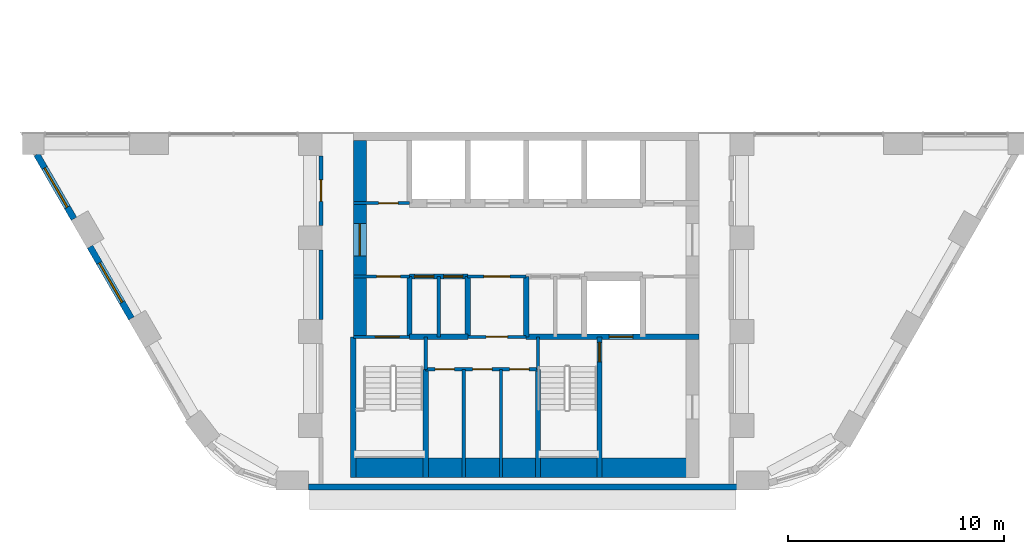
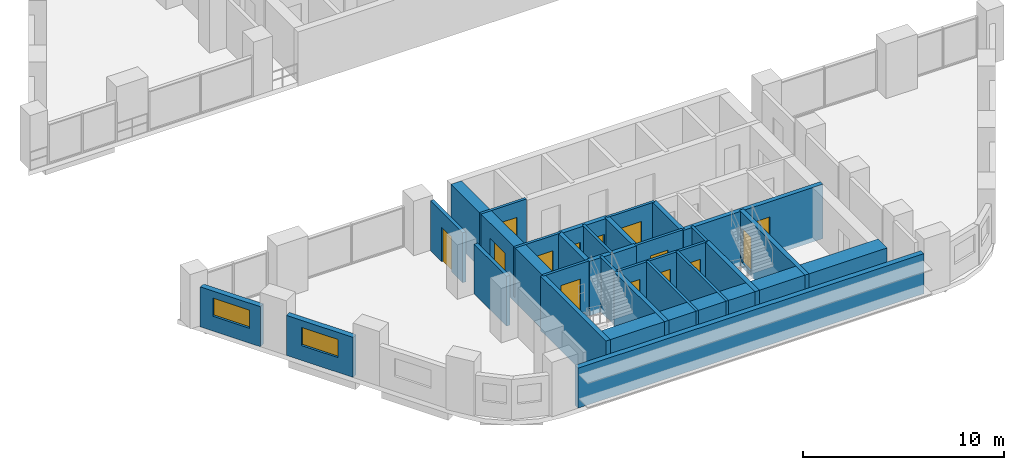
# One storey, part 5 of 11: 28 walls, 14 doors, 2 windows, 16 openings.
"""IFC4 building model written with IfcOpenShell, lengths in metres."""

from ifc_helpers import new_model, si_unit, direction, frame, frame_2d, origin, place, context, subcontext, project, spatial, rectangle, extrude, material, layer, layer_set, type_object, element, fill, save


model = new_model("IFC4")

# Units and contexts
model_context = context("Model", 3, precision=1e-05, world=origin(), true_north=direction((0.0, 1.0)))
body_context = subcontext(model_context, "Body", "Model", "MODEL_VIEW")
ifc_project = project(units=[si_unit("LENGTHUNIT", "METRE"), si_unit("AREAUNIT", "SQUARE_METRE"), si_unit("VOLUMEUNIT", "CUBIC_METRE"), si_unit("PLANEANGLEUNIT", "RADIAN"), si_unit("MASSUNIT", "GRAM", prefix="KILO")], contexts=[model_context])

# Site, building, storey
site_placement = place(None, origin())
site = spatial("IfcSite", under=ifc_project, at=site_placement, CompositionType="ELEMENT")
building_placement = place(site_placement, origin())
building = spatial("IfcBuilding", under=site, at=building_placement, Name="Nakaniwa Court", CompositionType="ELEMENT")
storey_placement = place(building_placement, frame((0.0, 0.0, 31.5)))
storey = spatial("IfcBuildingStorey", under=building, at=storey_placement, Name="L07", CompositionType="ELEMENT", Elevation=31.5)

# Wall
ifc_material_1 = material(Name="Acoustic double stud partition")
ifc_layer_1 = layer(ifc_material_1, 0.199951171875)
ifc_layer_set_1 = layer_set([ifc_layer_1], Name="Acoustic double stud partition")
wall_type_1 = type_object("IfcWallType", Name="Acoustic double stud partition 200", PredefinedType="PARTITIONING", material=ifc_layer_set_1)
wall_1_placement = place(storey_placement, frame((70.5, 63.9169921875, 0.0), z_axis=(0.0, 0.0, 1.0), x_axis=(0.0, 1.0, 0.0)))
element("IfcWall", 1, at=wall_1_placement, inside=storey, type_object=wall_type_1, Name="Partition PW-083", PredefinedType="PARTITIONING", context=body_context, shape_type="SweptSolid", body=[
    extrude(rectangle(XDim=3.216064453125, YDim=0.199951171875, at=frame_2d((1.60791015625, 0.0))), origin(), (0.0, 0.0, 1.0), 3.02490234375),
])

# Wall, opening, door
wall_2_placement = place(storey_placement, frame((70.5, 68.26708984375, 0.0), z_axis=(0.0, 0.0, 1.0), x_axis=(0.0, 1.0, 0.0)))
wall_2 = element("IfcWall", 2, at=wall_2_placement, inside=storey, type_object=wall_type_1, Name="Partition PW-084", PredefinedType="PARTITIONING", context=body_context, shape_type="SweptSolid", body=[
    extrude(rectangle(XDim=3.2158203125, YDim=0.199951171875, at=frame_2d((1.60791015625, 0.0))), origin(), (0.0, 0.0, 1.0), 3.02490234375),
])
opening_1_placement = place(wall_2_placement, frame((1.10791015625, 0.0, 0.0)))
opening_1 = element("IfcOpeningElement", 3, at=opening_1_placement, cuts=wall_2, Name="Opening D-02-03", PredefinedType="OPENING", context=body_context, shape_type="SweptSolid", body=[
    extrude(rectangle(XDim=1.0, YDim=2.10009765625, at=frame_2d((0.5, 1.050048828125))), frame((0.0, 0.10986328125, 0.0), z_axis=(0.0, -1.0, 0.0), x_axis=(1.0, 0.0, 0.0)), (0.0, 0.0, 1.0), 0.219970703125),
])
ifc_material_2 = material(Name="Solid core timber door set, black veneer", Category="wood")
door_type_1 = type_object("IfcDoorType", Name="Internal door 1000", OperationType="NOTDEFINED", PredefinedType="DOOR", material=ifc_material_2)
door_1_placement = place(opening_1_placement, origin())
door_1 = element("IfcDoor", 4, at=door_1_placement, inside=storey, type_object=door_type_1, Name="Door D-02-03 L07-033", OperationType="SINGLE_SWING_RIGHT", OverallHeight=2.10009765625, OverallWidth=1.0, PredefinedType="DOOR", context=body_context, shape_type="SweptSolid", body=[
    extrude(rectangle(XDim=1.0, YDim=2.10009765625, at=frame_2d((0.5, 1.050048828125))), frame((0.0, 0.02490234375, 0.0), z_axis=(0.0, -1.0, 0.0), x_axis=(1.0, 0.0, 0.0)), (0.0, 0.0, 1.0), 0.050048828125),
])
fill(opening_1, door_1)

# Wall, opening, window
ifc_material_3 = material(Name="Charcoal ceramic cladding")
ifc_layer_2 = layer(ifc_material_3, 0.02, Name="Ceramic cladding")
ifc_material_4 = material(Name="Ventilated air cavity")
ifc_layer_3 = layer(ifc_material_4, 0.04, ventilated=True, Name="Ventilated cavity")
ifc_material_5 = material(Name="Mineral wool insulation")
ifc_layer_4 = layer(ifc_material_5, 0.1, Name="Insulation")
ifc_material_6 = material(Name="Cement bonded sheathing board")
ifc_layer_5 = layer(ifc_material_6, 0.012, Name="Sheathing")
ifc_material_7 = material(Name="Cold-formed galvanised stud frame with mineral wool infill")
ifc_layer_6 = layer(ifc_material_7, 0.1, Name="Stud frame")
ifc_material_8 = material(Name="Fire-rated gypsum plasterboard lining")
ifc_layer_7 = layer(ifc_material_8, 0.028, Name="Lining")
ifc_layer_set_2 = layer_set([ifc_layer_2, ifc_layer_3, ifc_layer_4, ifc_layer_5, ifc_layer_6, ifc_layer_7], Name="Charcoal ceramic faced external wall system")
wall_type_2 = type_object("IfcWallType", Name="Black ceramic faced external wall 300", PredefinedType="SOLIDWALL", material=ifc_layer_set_2)
wall_3_placement = place(storey_placement, frame((57.3369140625, 71.553466796875, 0.0), z_axis=(0.0, 0.0, 1.0), x_axis=(0.500035437112, -0.866004943191, 0.0)))
wall_3 = element("IfcWall", 5, at=wall_3_placement, inside=storey, type_object=wall_type_2, Name="L07 external wall 06", PredefinedType="SOLIDWALL", context=body_context, shape_type="SweptSolid", body=[
    extrude(rectangle(XDim=3.443603515625, YDim=0.300048828125, at=frame_2d((1.7216796875, 0.0))), origin(), (0.0, 0.0, 1.0), 2.425048828125),
])
opening_2_placement = place(wall_3_placement, frame((0.722412109375, 0.0, 0.89990234375)))
opening_2 = element("IfcOpeningElement", 6, at=opening_2_placement, cuts=wall_3, Name="Opening W7.03", PredefinedType="OPENING", context=body_context, shape_type="SweptSolid", body=[
    extrude(rectangle(XDim=2.10009765625, YDim=1.10009765625, at=frame_2d((1.050048828125, 0.550048828125))), frame((0.0, 0.159912109375, 0.0), z_axis=(0.0, -1.0, 0.0), x_axis=(1.0, 0.0, 0.0)), (0.0, 0.0, 1.0), 0.320068359375),
])
ifc_material_9 = material(Name="Black anodised aluminium frame with dark low-E laminated double glazing", Category="aluminium")
window_type = type_object("IfcWindowType", Name="Dark glass window 2100x1100 sill 900", PartitioningType="SINGLE_PANEL", PredefinedType="WINDOW", material=ifc_material_9)
window_1_placement = place(opening_2_placement, origin())
window_1 = element("IfcWindow", 7, at=window_1_placement, inside=storey, type_object=window_type, Name="L07 habitable room window 06-0", OverallHeight=1.10009765625, OverallWidth=2.10009765625, PartitioningType="SINGLE_PANEL", PredefinedType="WINDOW", context=body_context, shape_type="SweptSolid", body=[
    extrude(rectangle(XDim=2.10009765625, YDim=1.10009765625, at=frame_2d((1.050048828125, 0.550048828125))), frame((0.0, 0.030029296875, 0.0), z_axis=(0.0, -1.0, 0.0), x_axis=(1.0, 0.0, 0.0)), (0.0, 0.0, 1.0), 0.06005859375),
])
fill(opening_2, window_1)

wall_4_placement = place(storey_placement, frame((59.8046875, 67.279296875, 0.0), z_axis=(0.0, 0.0, 1.0), x_axis=(0.500001735503, -0.866024401789, 0.0)))
wall_4 = element("IfcWall", 8, at=wall_4_placement, inside=storey, type_object=wall_type_2, Name="L07 external wall 07", PredefinedType="SOLIDWALL", context=body_context, shape_type="SweptSolid", body=[
    extrude(rectangle(XDim=3.833984375, YDim=0.300048828125, at=frame_2d((1.9169921875, 0.0))), origin(), (0.0, 0.0, 1.0), 2.425048828125),
])
opening_3_placement = place(wall_4_placement, frame((0.866943359375, 0.0, 0.89990234375)))
opening_3 = element("IfcOpeningElement", 9, at=opening_3_placement, cuts=wall_4, Name="Opening W7.04", PredefinedType="OPENING", context=body_context, shape_type="SweptSolid", body=[
    extrude(rectangle(XDim=2.10009765625, YDim=1.10009765625, at=frame_2d((1.050048828125, 0.550048828125))), frame((0.0, 0.159912109375, 0.0), z_axis=(0.0, -1.0, 0.0), x_axis=(1.0, 0.0, 0.0)), (0.0, 0.0, 1.0), 0.320068359375),
])
window_2_placement = place(opening_3_placement, origin())
window_2 = element("IfcWindow", 10, at=window_2_placement, inside=storey, type_object=window_type, Name="L07 habitable room window 07-0", OverallHeight=1.10009765625, OverallWidth=2.10009765625, PartitioningType="SINGLE_PANEL", PredefinedType="WINDOW", context=body_context, shape_type="SweptSolid", body=[
    extrude(rectangle(XDim=2.10009765625, YDim=1.10009765625, at=frame_2d((1.050048828125, 0.550048828125))), frame((0.0, 0.030029296875, 0.0), z_axis=(0.0, -1.0, 0.0), x_axis=(1.0, 0.0, 0.0)), (0.0, 0.0, 1.0), 0.06005859375),
])
fill(opening_3, window_2)

# Wall
wall_5_placement = place(storey_placement, frame((69.92138671875, 56.14990234375, 0.0), z_axis=(0.0, 0.0, 1.0), x_axis=(1.0, 0.0, 0.0)))
element("IfcWall", 11, at=wall_5_placement, inside=storey, type_object=wall_type_2, Name="L07 external wall 11", PredefinedType="SOLIDWALL", context=body_context, shape_type="SweptSolid", body=[
    extrude(rectangle(XDim=19.839599609375, YDim=0.300048828125, at=frame_2d((9.919921875, 0.0))), origin(), (0.0, 0.0, 1.0), 2.425048828125),
])

# Wall, opening, door
ifc_material_10 = material(Name="Blockwork partition", Category="masonry")
ifc_layer_8 = layer(ifc_material_10, 0.14990234375)
ifc_layer_set_3 = layer_set([ifc_layer_8], Name="Blockwork partition")
wall_type_3 = type_object("IfcWallType", Name="Blockwork partition 150", PredefinedType="PARTITIONING", material=ifc_layer_set_3)
wall_6_placement = place(storey_placement, frame((72.0, 69.300048828125, 0.0), z_axis=(0.0, 0.0, 1.0), x_axis=(1.0, 0.0, 0.0)))
wall_6 = element("IfcWall", 12, at=wall_6_placement, inside=storey, type_object=wall_type_3, Name="Partition PW-039", PredefinedType="PARTITIONING", context=body_context, shape_type="SweptSolid", body=[
    extrude(rectangle(XDim=2.60009765625, YDim=0.14990234375, at=frame_2d((1.300048828125, 0.0))), origin(), (0.0, 0.0, 1.0), 3.02490234375),
])
opening_4_placement = place(wall_6_placement, frame((1.175048828125, 0.0, 0.0)))
opening_4 = element("IfcOpeningElement", 13, at=opening_4_placement, cuts=wall_6, Name="Opening D-05-11", PredefinedType="OPENING", context=body_context, shape_type="SweptSolid", body=[
    extrude(rectangle(XDim=0.89990234375, YDim=2.10009765625, at=frame_2d((0.449951171875, 1.050048828125))), frame((0.0, 0.0849609375, 0.0), z_axis=(0.0, -1.0, 0.0), x_axis=(1.0, 0.0, 0.0)), (0.0, 0.0, 1.0), 0.169921875),
])
ifc_material_11 = material(Name="Fire rated steel door set", Category="steel")
door_type_2 = type_object("IfcDoorType", Name="Service room door 900", OperationType="NOTDEFINED", PredefinedType="DOOR", material=ifc_material_11)
door_2_placement = place(opening_4_placement, origin())
door_2 = element("IfcDoor", 14, at=door_2_placement, inside=storey, type_object=door_type_2, Name="Door D-05-11 L07-016", OperationType="SINGLE_SWING_LEFT", OverallHeight=2.10009765625, OverallWidth=0.89990234375, PredefinedType="DOOR", context=body_context, shape_type="SweptSolid", body=[
    extrude(rectangle(XDim=0.89990234375, YDim=2.10009765625, at=frame_2d((0.449951171875, 1.050048828125))), frame((0.0, 0.02490234375, 0.0), z_axis=(0.0, -1.0, 0.0), x_axis=(1.0, 0.0, 0.0)), (0.0, 0.0, 1.0), 0.050048828125),
])
fill(opening_4, door_2)

wall_7_placement = place(storey_placement, frame((74.60302734375, 65.89990234375, 0.0), z_axis=(0.0, 0.0, 1.0), x_axis=(-1.0, 0.0, 0.0)))
wall_7 = element("IfcWall", 15, at=wall_7_placement, inside=storey, type_object=wall_type_3, Name="Partition PW-052", PredefinedType="PARTITIONING", context=body_context, shape_type="SweptSolid", body=[
    extrude(rectangle(XDim=2.60302734375, YDim=0.14990234375, at=frame_2d((1.301513671875, 0.0))), origin(), (0.0, 0.0, 1.0), 3.02490234375),
])
opening_5_placement = place(wall_7_placement, frame((0.427978515625, 0.0, 0.0)))
opening_5 = element("IfcOpeningElement", 16, at=opening_5_placement, cuts=wall_7, Name="Opening D-08-02", PredefinedType="OPENING", context=body_context, shape_type="SweptSolid", body=[
    extrude(rectangle(XDim=1.10009765625, YDim=2.10009765625, at=frame_2d((0.550048828125, 1.050048828125))), frame((0.0, 0.0849609375, 0.0), z_axis=(0.0, -1.0, 0.0), x_axis=(1.0, 0.0, 0.0)), (0.0, 0.0, 1.0), 0.169921875),
])
door_type_3 = type_object("IfcDoorType", Name="Stair lobby door 1100", OperationType="NOTDEFINED", PredefinedType="DOOR", material=ifc_material_11)
door_3_placement = place(opening_5_placement, origin())
door_3 = element("IfcDoor", 17, at=door_3_placement, inside=storey, type_object=door_type_3, Name="Door D-08-02 L07-018", OperationType="SINGLE_SWING_LEFT", OverallHeight=2.10009765625, OverallWidth=1.10009765625, PredefinedType="DOOR", context=body_context, shape_type="SweptSolid", body=[
    extrude(rectangle(XDim=1.10009765625, YDim=2.10009765625, at=frame_2d((0.550048828125, 1.050048828125))), frame((0.0, 0.02490234375, 0.0), z_axis=(0.0, -1.0, 0.0), x_axis=(1.0, 0.0, 0.0)), (0.0, 0.0, 1.0), 0.050048828125),
])
fill(opening_5, door_3)

wall_8_placement = place(storey_placement, frame((80.0029296875, 65.89990234375, 0.0), z_axis=(0.0, 0.0, 1.0), x_axis=(-1.0, 0.0, 0.0)))
wall_8 = element("IfcWall", 18, at=wall_8_placement, inside=storey, type_object=wall_type_3, Name="Partition PW-053", PredefinedType="PARTITIONING", context=body_context, shape_type="SweptSolid", body=[
    extrude(rectangle(XDim=2.705810546875, YDim=0.14990234375, at=frame_2d((1.35302734375, 0.0))), origin(), (0.0, 0.0, 1.0), 3.02490234375),
])
opening_6_placement = place(wall_8_placement, frame((0.7529296875, 0.0, 0.0)))
opening_6 = element("IfcOpeningElement", 19, at=opening_6_placement, cuts=wall_8, Name="Opening D-06-02", PredefinedType="OPENING", context=body_context, shape_type="SweptSolid", body=[
    extrude(rectangle(XDim=1.199951171875, YDim=2.10009765625, at=frame_2d((0.60009765625, 1.050048828125))), frame((0.0, 0.0849609375, 0.0), z_axis=(0.0, -1.0, 0.0), x_axis=(1.0, 0.0, 0.0)), (0.0, 0.0, 1.0), 0.169921875),
])
ifc_material_12 = material(Name="Fire rated steel double door set", Category="steel")
door_type_4 = type_object("IfcDoorType", Name="Service passage double door 1200", OperationType="NOTDEFINED", PredefinedType="DOOR", material=ifc_material_12)
door_4_placement = place(opening_6_placement, origin())
door_4 = element("IfcDoor", 20, at=door_4_placement, inside=storey, type_object=door_type_4, Name="Door D-06-02 L07-021", OperationType="DOUBLE_DOOR_SINGLE_SWING", OverallHeight=2.10009765625, OverallWidth=1.199951171875, PredefinedType="DOOR", context=body_context, shape_type="SweptSolid", body=[
    extrude(rectangle(XDim=1.199951171875, YDim=2.10009765625, at=frame_2d((0.60009765625, 1.050048828125))), frame((0.0, 0.02490234375, 0.0), z_axis=(0.0, -1.0, 0.0), x_axis=(1.0, 0.0, 0.0)), (0.0, 0.0, 1.0), 0.050048828125),
])
fill(opening_6, door_4)

# Wall
wall_9_placement = place(storey_placement, frame((75.949951171875, 63.10009765625, 0.0), z_axis=(0.0, 0.0, 1.0), x_axis=(0.0, 1.0, 0.0)))
element("IfcWall", 21, at=wall_9_placement, inside=storey, type_object=wall_type_3, Name="Partition PW-059", PredefinedType="PARTITIONING", context=body_context, shape_type="SweptSolid", body=[
    extrude(rectangle(XDim=2.7998046875, YDim=0.14990234375, at=frame_2d((1.39990234375, 0.0))), origin(), (0.0, 0.0, 1.0), 3.02490234375),
])

# Wall, opening, door
wall_10_placement = place(storey_placement, frame((80.0, 63.10009765625, 0.0), z_axis=(0.0, 0.0, 1.0), x_axis=(-1.0, 0.0, 0.0)))
wall_10 = element("IfcWall", 22, at=wall_10_placement, inside=storey, type_object=wall_type_3, Name="Partition PW-062", PredefinedType="PARTITIONING", context=body_context, shape_type="SweptSolid", body=[
    extrude(rectangle(XDim=2.699951171875, YDim=0.14990234375, at=frame_2d((1.35009765625, 0.0))), origin(), (0.0, 0.0, 1.0), 3.02490234375),
])
opening_7_placement = place(wall_10_placement, frame((0.85009765625, 0.0, 0.0)))
opening_7 = element("IfcOpeningElement", 23, at=opening_7_placement, cuts=wall_10, Name="Opening D-23-02", PredefinedType="OPENING", context=body_context, shape_type="SweptSolid", body=[
    extrude(rectangle(XDim=1.0, YDim=2.10009765625, at=frame_2d((0.5, 1.050048828125))), frame((0.0, 0.0849609375, 0.0), z_axis=(0.0, -1.0, 0.0), x_axis=(1.0, 0.0, 0.0)), (0.0, 0.0, 1.0), 0.169921875),
])
door_type_5 = type_object("IfcDoorType", Name="Service room door 1000", OperationType="NOTDEFINED", PredefinedType="DOOR", material=ifc_material_11)
door_5_placement = place(opening_7_placement, origin())
door_5 = element("IfcDoor", 24, at=door_5_placement, inside=storey, type_object=door_type_5, Name="Door D-23-02 L07-025", OperationType="SINGLE_SWING_RIGHT", OverallHeight=2.10009765625, OverallWidth=1.0, PredefinedType="DOOR", context=body_context, shape_type="SweptSolid", body=[
    extrude(rectangle(XDim=1.0, YDim=2.10009765625, at=frame_2d((0.5, 1.050048828125))), frame((0.0, 0.02490234375, 0.0), z_axis=(0.0, -1.0, 0.0), x_axis=(1.0, 0.0, 0.0)), (0.0, 0.0, 1.0), 0.050048828125),
])
fill(opening_7, door_5)

# Wall, openings, doors
wall_11_placement = place(storey_placement, frame((80.550048828125, 61.60009765625, 0.0), z_axis=(0.0, 0.0, 1.0), x_axis=(-1.0, 0.0, 0.0)))
wall_11 = element("IfcWall", 25, at=wall_11_placement, inside=storey, type_object=wall_type_3, Name="Partition PW-070", PredefinedType="PARTITIONING", context=body_context, shape_type="SweptSolid", body=[
    extrude(rectangle(XDim=5.199951171875, YDim=0.14990234375, at=frame_2d((2.60009765625, 0.0))), origin(), (0.0, 0.0, 1.0), 3.02490234375),
])
opening_8_placement = place(wall_11_placement, frame((3.865966796875, 0.0, 0.0)))
opening_8 = element("IfcOpeningElement", 26, at=opening_8_placement, cuts=wall_11, Name="Opening D-05-18", PredefinedType="OPENING", context=body_context, shape_type="SweptSolid", body=[
    extrude(rectangle(XDim=0.89990234375, YDim=2.10009765625, at=frame_2d((0.449951171875, 1.050048828125))), frame((0.0, 0.0849609375, 0.0), z_axis=(0.0, -1.0, 0.0), x_axis=(1.0, 0.0, 0.0)), (0.0, 0.0, 1.0), 0.169921875),
])
opening_9_placement = place(wall_11_placement, frame((2.1240234375, 0.0, 0.0)))
opening_9 = element("IfcOpeningElement", 27, at=opening_9_placement, cuts=wall_11, Name="Opening D-05-19", PredefinedType="OPENING", context=body_context, shape_type="SweptSolid", body=[
    extrude(rectangle(XDim=0.89990234375, YDim=2.10009765625, at=frame_2d((0.449951171875, 1.050048828125))), frame((0.0, 0.0849609375, 0.0), z_axis=(0.0, -1.0, 0.0), x_axis=(1.0, 0.0, 0.0)), (0.0, 0.0, 1.0), 0.169921875),
])
opening_10_placement = place(wall_11_placement, frame((0.407958984375, 0.0, 0.0)))
opening_10 = element("IfcOpeningElement", 28, at=opening_10_placement, cuts=wall_11, Name="Opening D-05-20", PredefinedType="OPENING", context=body_context, shape_type="SweptSolid", body=[
    extrude(rectangle(XDim=0.89990234375, YDim=2.10009765625, at=frame_2d((0.449951171875, 1.050048828125))), frame((0.0, 0.0849609375, 0.0), z_axis=(0.0, -1.0, 0.0), x_axis=(1.0, 0.0, 0.0)), (0.0, 0.0, 1.0), 0.169921875),
])
door_6_placement = place(opening_8_placement, origin())
door_6 = element("IfcDoor", 29, at=door_6_placement, inside=storey, type_object=door_type_2, Name="Door D-05-18 L07-026", OperationType="SINGLE_SWING_LEFT", OverallHeight=2.10009765625, OverallWidth=0.89990234375, PredefinedType="DOOR", context=body_context, shape_type="SweptSolid", body=[
    extrude(rectangle(XDim=0.89990234375, YDim=2.10009765625, at=frame_2d((0.449951171875, 1.050048828125))), frame((0.0, 0.02490234375, 0.0), z_axis=(0.0, -1.0, 0.0), x_axis=(1.0, 0.0, 0.0)), (0.0, 0.0, 1.0), 0.050048828125),
])
fill(opening_8, door_6)
door_7_placement = place(opening_9_placement, origin())
door_7 = element("IfcDoor", 30, at=door_7_placement, inside=storey, type_object=door_type_2, Name="Door D-05-19 L07-027", OperationType="SINGLE_SWING_RIGHT", OverallHeight=2.10009765625, OverallWidth=0.89990234375, PredefinedType="DOOR", context=body_context, shape_type="SweptSolid", body=[
    extrude(rectangle(XDim=0.89990234375, YDim=2.10009765625, at=frame_2d((0.449951171875, 1.050048828125))), frame((0.0, 0.02490234375, 0.0), z_axis=(0.0, -1.0, 0.0), x_axis=(1.0, 0.0, 0.0)), (0.0, 0.0, 1.0), 0.050048828125),
])
fill(opening_9, door_7)
door_8_placement = place(opening_10_placement, origin())
door_8 = element("IfcDoor", 31, at=door_8_placement, inside=storey, type_object=door_type_2, Name="Door D-05-20 L07-028", OperationType="SINGLE_SWING_LEFT", OverallHeight=2.10009765625, OverallWidth=0.89990234375, PredefinedType="DOOR", context=body_context, shape_type="SweptSolid", body=[
    extrude(rectangle(XDim=0.89990234375, YDim=2.10009765625, at=frame_2d((0.449951171875, 1.050048828125))), frame((0.0, 0.02490234375, 0.0), z_axis=(0.0, -1.0, 0.0), x_axis=(1.0, 0.0, 0.0)), (0.0, 0.0, 1.0), 0.050048828125),
])
fill(opening_10, door_8)

# Walls
for number, where, z_axis, x_axis, name in (
    (32, (77.117919921875, 56.60009765625, 0.0), (0.0, 0.0, 1.0), (0.0, 1.0, 0.0), "Partition PW-071"),
    (33, (78.833984375, 56.60009765625, 0.0), (0.0, 0.0, 1.0), (0.0, 1.0, 0.0), "Partition PW-072"),
):
    element("IfcWall", number, at=place(storey_placement, frame(where, z_axis=z_axis, x_axis=x_axis)), inside=storey, type_object=wall_type_3, Name=name, PredefinedType="PARTITIONING", context=body_context, shape_type="SweptSolid", body=[
        extrude(rectangle(XDim=5.0, YDim=0.14990234375, at=frame_2d((2.5, 0.0))), origin(), (0.0, 0.0, 1.0), 3.02490234375),
    ])

# Wall, opening, door
ifc_material_13 = material(Name="Concrete C100/115", Category="concrete")
ifc_layer_9 = layer(ifc_material_13, 0.60009765625)
ifc_layer_set_4 = layer_set([ifc_layer_9], Name="Concrete C100/115")
wall_type_4 = type_object("IfcWallType", Name="Concrete core side wall 600 C100", PredefinedType="SHEAR", material=ifc_layer_set_4)
wall_12_placement = place(storey_placement, frame((72.300048828125, 63.10009765625, -0.27490234375), z_axis=(0.0, 0.0, 1.0), x_axis=(0.0, 1.0, 0.0)))
wall_12 = element("IfcWall", 34, at=wall_12_placement, inside=storey, type_object=wall_type_4, Name="Core wall SW-40", PredefinedType="SHEAR", context=body_context, shape_type="SweptSolid", body=[
    extrude(rectangle(XDim=9.099853515625, YDim=0.60009765625, at=frame_2d((4.5498046875, 0.0))), origin(), (0.0, 0.0, 1.0), 3.2998046875),
])
opening_11_placement = place(wall_12_placement, frame((3.75, 0.0, 0.27490234375)))
opening_11 = element("IfcOpeningElement", 35, at=opening_11_placement, cuts=wall_12, Name="Opening D-07-04", PredefinedType="OPENING", context=body_context, shape_type="SweptSolid", body=[
    extrude(rectangle(XDim=1.5, YDim=2.10009765625, at=frame_2d((0.75, 1.050048828125))), frame((0.0, 0.31005859375, 0.0), z_axis=(0.0, -1.0, 0.0), x_axis=(1.0, 0.0, 0.0)), (0.0, 0.0, 1.0), 0.6201171875),
])
ifc_material_14 = material(Name="Glazed fire rated steel double door set", Category="steel")
door_type_6 = type_object("IfcDoorType", Name="Lobby double door 1500", OperationType="NOTDEFINED", PredefinedType="DOOR", material=ifc_material_14)
door_9_placement = place(opening_11_placement, origin())
door_9 = element("IfcDoor", 36, at=door_9_placement, inside=storey, type_object=door_type_6, Name="Door D-07-04 L07-039", OperationType="DOUBLE_DOOR_SINGLE_SWING", OverallHeight=2.10009765625, OverallWidth=1.5, PredefinedType="DOOR", context=body_context, shape_type="SweptSolid", body=[
    extrude(rectangle(XDim=1.5, YDim=2.10009765625, at=frame_2d((0.75, 1.050048828125))), frame((0.0, 0.02490234375, 0.0), z_axis=(0.0, -1.0, 0.0), x_axis=(1.0, 0.0, 0.0)), (0.0, 0.0, 1.0), 0.050048828125),
])
fill(opening_11, door_9)

ifc_layer_10 = layer(ifc_material_13, 0.14990234375)
ifc_layer_set_5 = layer_set([ifc_layer_10], Name="Concrete C100/115")
wall_type_5 = type_object("IfcWallType", Name="Concrete core wall 150 C100", PredefinedType="SHEAR", material=ifc_layer_set_5)
wall_13_placement = place(storey_placement, frame((72.0, 63.10009765625, -0.27490234375), z_axis=(0.0, 0.0, 1.0), x_axis=(1.0, 0.0, 0.0)))
wall_13 = element("IfcWall", 37, at=wall_13_placement, inside=storey, type_object=wall_type_5, Name="Core wall SW-58", PredefinedType="SHEAR", context=body_context, shape_type="SweptSolid", body=[
    extrude(rectangle(XDim=2.60009765625, YDim=0.14990234375, at=frame_2d((1.300048828125, 0.0))), origin(), (0.0, 0.0, 1.0), 3.2998046875),
])
opening_12_placement = place(wall_13_placement, frame((1.02001953125, 0.0, 0.27490234375)))
opening_12 = element("IfcOpeningElement", 38, at=opening_12_placement, cuts=wall_13, Name="Opening D-09-02", PredefinedType="OPENING", context=body_context, shape_type="SweptSolid", body=[
    extrude(rectangle(XDim=1.10009765625, YDim=2.10009765625, at=frame_2d((0.550048828125, 1.050048828125))), frame((0.0, 0.0849609375, 0.0), z_axis=(0.0, -1.0, 0.0), x_axis=(1.0, 0.0, 0.0)), (0.0, 0.0, 1.0), 0.169921875),
])
door_type_7 = type_object("IfcDoorType", Name="Stair door 1100", OperationType="NOTDEFINED", PredefinedType="DOOR", material=ifc_material_11)
door_10_placement = place(opening_12_placement, origin())
door_10 = element("IfcDoor", 39, at=door_10_placement, inside=storey, type_object=door_type_7, Name="Door D-09-02 L07-029", OperationType="SINGLE_SWING_LEFT", OverallHeight=2.10009765625, OverallWidth=1.10009765625, PredefinedType="DOOR", context=body_context, shape_type="SweptSolid", body=[
    extrude(rectangle(XDim=1.10009765625, YDim=2.10009765625, at=frame_2d((0.550048828125, 1.050048828125))), frame((0.0, 0.02490234375, 0.0), z_axis=(0.0, -1.0, 0.0), x_axis=(1.0, 0.0, 0.0)), (0.0, 0.0, 1.0), 0.050048828125),
])
fill(opening_12, door_10)

# Walls
for number, where, z_axis, x_axis, name in (
    (40, (75.35009765625, 61.596923828125, -0.27490234375), (0.0, 0.0, 1.0), (0.0, 1.0, 0.0), "Core wall SW-64"),
    (41, (80.550048828125, 61.596923828125, -0.27490234375), (0.0, 0.0, 1.0), (0.0, 1.0, 0.0), "Core wall SW-68"),
):
    element("IfcWall", number, at=place(storey_placement, frame(where, z_axis=z_axis, x_axis=x_axis)), inside=storey, type_object=wall_type_5, Name=name, PredefinedType="SHEAR", context=body_context, shape_type="SweptSolid", body=[
        extrude(rectangle(XDim=1.503173828125, YDim=0.14990234375, at=frame_2d((0.75146484375, 0.0))), origin(), (0.0, 0.0, 1.0), 3.2998046875),
    ])
ifc_layer_11 = layer(ifc_material_13, 0.25)
ifc_layer_set_6 = layer_set([ifc_layer_11], Name="Concrete C100/115")
wall_type_6 = type_object("IfcWallType", Name="Concrete core wall 250 C100", PredefinedType="SHEAR", material=ifc_layer_set_6)
wall_14_placement = place(storey_placement, frame((72.0, 56.60009765625, -0.27490234375), z_axis=(0.0, 0.0, 1.0), x_axis=(0.0, 1.0, 0.0)))
element("IfcWall", 42, at=wall_14_placement, inside=storey, type_object=wall_type_6, Name="Core wall SW-66", PredefinedType="SHEAR", context=body_context, shape_type="SweptSolid", body=[
    extrude(rectangle(XDim=6.5, YDim=0.25, at=frame_2d((3.25, 0.0))), origin(), (0.0, 0.0, 1.0), 3.2998046875),
])
ifc_layer_12 = layer(ifc_material_13, 0.89990234375)
ifc_layer_set_7 = layer_set([ifc_layer_12], Name="Concrete C100/115")
wall_type_7 = type_object("IfcWallType", Name="Concrete core wall 900 C100", PredefinedType="SHEAR", material=ifc_layer_set_7)
wall_15_placement = place(storey_placement, frame((72.00390625, 57.050048828125, -0.27490234375), z_axis=(0.0, 0.0, 1.0), x_axis=(1.0, 0.0, 0.0)))
element("IfcWall", 43, at=wall_15_placement, inside=storey, type_object=wall_type_7, Name="Core wall SW-92", PredefinedType="SHEAR", context=body_context, shape_type="SweptSolid", body=[
    extrude(rectangle(XDim=15.9921875, YDim=0.89990234375, at=frame_2d((7.99609375, 0.0))), origin(), (0.0, 0.0, 1.0), 3.2998046875),
])
ifc_layer_13 = layer(ifc_material_13, 0.25)
ifc_layer_set_8 = layer_set([ifc_layer_13], Name="Concrete C100/115")
wall_type_8 = type_object("IfcWallType", Name="Concrete shaft wall 250 C100", PredefinedType="SHEAR", material=ifc_layer_set_8)
for number, where, z_axis, x_axis, name in (
    (44, (74.60009765625, 63.10009765625, -0.27490234375), (0.0, 0.0, 1.0), (0.0, 1.0, 0.0), "Core wall SW-37"),
    (45, (77.300048828125, 63.10009765625, -0.27490234375), (0.0, 0.0, 1.0), (0.0, 1.0, 0.0), "Core wall SW-41"),
    (46, (80.0, 63.10009765625, -0.27490234375), (0.0, 0.0, 1.0), (0.0, 1.0, 0.0), "Core wall SW-44"),
):
    element("IfcWall", number, at=place(storey_placement, frame(where, z_axis=z_axis, x_axis=x_axis)), inside=storey, type_object=wall_type_8, Name=name, PredefinedType="SHEAR", context=body_context, shape_type="SweptSolid", body=[
        extrude(rectangle(XDim=2.7998046875, YDim=0.25, at=frame_2d((1.39990234375, 0.0))), origin(), (0.0, 0.0, 1.0), 3.2998046875),
    ])

# Wall, openings, doors
wall_16_placement = place(storey_placement, frame((77.302978515625, 65.89990234375, -0.27490234375), z_axis=(0.0, 0.0, 1.0), x_axis=(-1.0, 0.0, 0.0)))
wall_16 = element("IfcWall", 47, at=wall_16_placement, inside=storey, type_object=wall_type_8, Name="Core wall SW-55", PredefinedType="SHEAR", context=body_context, shape_type="SweptSolid", body=[
    extrude(rectangle(XDim=2.7060546875, YDim=0.25, at=frame_2d((1.35302734375, 0.0))), origin(), (0.0, 0.0, 1.0), 3.2998046875),
])
opening_13_placement = place(wall_16_placement, frame((1.577880859375, 0.0, 0.27490234375)))
opening_13 = element("IfcOpeningElement", 48, at=opening_13_placement, cuts=wall_16, Name="Opening D-05-13", PredefinedType="OPENING", context=body_context, shape_type="SweptSolid", body=[
    extrude(rectangle(XDim=0.89990234375, YDim=2.10009765625, at=frame_2d((0.449951171875, 1.050048828125))), frame((0.0, 0.135009765625, 0.0), z_axis=(0.0, -1.0, 0.0), x_axis=(1.0, 0.0, 0.0)), (0.0, 0.0, 1.0), 0.27001953125),
])
opening_14_placement = place(wall_16_placement, frame((0.22802734375, 0.0, 0.27490234375)))
opening_14 = element("IfcOpeningElement", 49, at=opening_14_placement, cuts=wall_16, Name="Opening D-05-14", PredefinedType="OPENING", context=body_context, shape_type="SweptSolid", body=[
    extrude(rectangle(XDim=0.89990234375, YDim=2.10009765625, at=frame_2d((0.449951171875, 1.050048828125))), frame((0.0, 0.135009765625, 0.0), z_axis=(0.0, -1.0, 0.0), x_axis=(1.0, 0.0, 0.0)), (0.0, 0.0, 1.0), 0.27001953125),
])
door_11_placement = place(opening_13_placement, origin())
door_11 = element("IfcDoor", 50, at=door_11_placement, inside=storey, type_object=door_type_2, Name="Door D-05-13 L07-019", OperationType="SINGLE_SWING_RIGHT", OverallHeight=2.10009765625, OverallWidth=0.89990234375, PredefinedType="DOOR", context=body_context, shape_type="SweptSolid", body=[
    extrude(rectangle(XDim=0.89990234375, YDim=2.10009765625, at=frame_2d((0.449951171875, 1.050048828125))), frame((0.0, 0.02490234375, 0.0), z_axis=(0.0, -1.0, 0.0), x_axis=(1.0, 0.0, 0.0)), (0.0, 0.0, 1.0), 0.050048828125),
])
fill(opening_13, door_11)
door_12_placement = place(opening_14_placement, origin())
door_12 = element("IfcDoor", 51, at=door_12_placement, inside=storey, type_object=door_type_2, Name="Door D-05-14 L07-020", OperationType="SINGLE_SWING_LEFT", OverallHeight=2.10009765625, OverallWidth=0.89990234375, PredefinedType="DOOR", context=body_context, shape_type="SweptSolid", body=[
    extrude(rectangle(XDim=0.89990234375, YDim=2.10009765625, at=frame_2d((0.449951171875, 1.050048828125))), frame((0.0, 0.02490234375, 0.0), z_axis=(0.0, -1.0, 0.0), x_axis=(1.0, 0.0, 0.0)), (0.0, 0.0, 1.0), 0.050048828125),
])
fill(opening_14, door_12)

# Wall
wall_17_placement = place(storey_placement, frame((74.60009765625, 63.10009765625, -0.27490234375), z_axis=(0.0, 0.0, 1.0), x_axis=(1.0, 0.0, 0.0)))
element("IfcWall", 52, at=wall_17_placement, inside=storey, type_object=wall_type_8, Name="Core wall SW-60", PredefinedType="SHEAR", context=body_context, shape_type="SweptSolid", body=[
    extrude(rectangle(XDim=2.699951171875, YDim=0.25, at=frame_2d((1.35009765625, 0.0))), origin(), (0.0, 0.0, 1.0), 3.2998046875),
])

# Wall, opening, door
wall_18_placement = place(storey_placement, frame((80.0, 63.10009765625, -0.27490234375), z_axis=(0.0, 0.0, 1.0), x_axis=(1.0, 0.0, 0.0)))
wall_18 = element("IfcWall", 53, at=wall_18_placement, inside=storey, type_object=wall_type_8, Name="Core wall SW-61", PredefinedType="SHEAR", context=body_context, shape_type="SweptSolid", body=[
    extrude(rectangle(XDim=8.0, YDim=0.25, at=frame_2d((4.0, 0.0))), origin(), (0.0, 0.0, 1.0), 3.2998046875),
])
opening_15_placement = place(wall_18_placement, frame((3.84912109375, 0.0, 0.27490234375)))
opening_15 = element("IfcOpeningElement", 54, at=opening_15_placement, cuts=wall_18, Name="Opening LD08", PredefinedType="OPENING", context=body_context, shape_type="SweptSolid", body=[
    extrude(rectangle(XDim=1.10009765625, YDim=2.10009765625, at=frame_2d((0.550048828125, 1.050048828125))), frame((0.0, 0.135009765625, 0.0), z_axis=(0.0, -1.0, 0.0), x_axis=(1.0, 0.0, 0.0)), (0.0, 0.0, 1.0), 0.27001953125),
])
ifc_material_15 = material(Name="Stainless steel sliding lift landing door", Category="steel")
door_type_8 = type_object("IfcDoorType", Name="Lift landing door 1100", OperationType="NOTDEFINED", PredefinedType="DOOR", material=ifc_material_15)
door_13_placement = place(opening_15_placement, origin())
door_13 = element("IfcDoor", 55, at=door_13_placement, inside=storey, type_object=door_type_8, Name="Lift landing door LD08 L07-008", OperationType="SLIDING_TO_LEFT", OverallHeight=2.10009765625, OverallWidth=1.10009765625, PredefinedType="DOOR", context=body_context, shape_type="SweptSolid", body=[
    extrude(rectangle(XDim=1.10009765625, YDim=2.10009765625, at=frame_2d((0.550048828125, 1.050048828125))), frame((0.0, 0.02490234375, 0.0), z_axis=(0.0, -1.0, 0.0), x_axis=(1.0, 0.0, 0.0)), (0.0, 0.0, 1.0), 0.050048828125),
])
fill(opening_15, door_13)

# Wall
wall_19_placement = place(storey_placement, frame((75.35009765625, 56.60009765625, -0.27490234375), z_axis=(0.0, 0.0, 1.0), x_axis=(0.0, 1.0, 0.0)))
element("IfcWall", 56, at=wall_19_placement, inside=storey, type_object=wall_type_8, Name="Core wall SW-65", PredefinedType="SHEAR", context=body_context, shape_type="SweptSolid", body=[
    extrude(rectangle(XDim=5.0029296875, YDim=0.25, at=frame_2d((2.50146484375, 0.0))), origin(), (0.0, 0.0, 1.0), 3.2998046875),
])

# Wall, opening, door
wall_20_placement = place(storey_placement, frame((83.39990234375, 63.10009765625, -0.27490234375), z_axis=(0.0, 0.0, 1.0), x_axis=(0.0, -1.0, 0.0)))
wall_20 = element("IfcWall", 57, at=wall_20_placement, inside=storey, type_object=wall_type_8, Name="Core wall SW-67", PredefinedType="SHEAR", context=body_context, shape_type="SweptSolid", body=[
    extrude(rectangle(XDim=6.5, YDim=0.25, at=frame_2d((3.25, 0.0))), origin(), (0.0, 0.0, 1.0), 3.2998046875),
])
opening_16_placement = place(wall_20_placement, frame((0.25, 0.0, 0.27490234375)))
opening_16 = element("IfcOpeningElement", 58, at=opening_16_placement, cuts=wall_20, Name="Opening D-11-02", PredefinedType="OPENING", context=body_context, shape_type="SweptSolid", body=[
    extrude(rectangle(XDim=0.89990234375, YDim=2.10009765625, at=frame_2d((0.449951171875, 1.050048828125))), frame((0.0, 0.135009765625, 0.0), z_axis=(0.0, -1.0, 0.0), x_axis=(1.0, 0.0, 0.0)), (0.0, 0.0, 1.0), 0.27001953125),
])
door_type_9 = type_object("IfcDoorType", Name="Stair door 900", OperationType="NOTDEFINED", PredefinedType="DOOR", material=ifc_material_11)
door_14_placement = place(opening_16_placement, origin())
door_14 = element("IfcDoor", 59, at=door_14_placement, inside=storey, type_object=door_type_9, Name="Door D-11-02 L07-030", OperationType="SINGLE_SWING_RIGHT", OverallHeight=2.10009765625, OverallWidth=0.89990234375, PredefinedType="DOOR", context=body_context, shape_type="SweptSolid", body=[
    extrude(rectangle(XDim=0.89990234375, YDim=2.10009765625, at=frame_2d((0.449951171875, 1.050048828125))), frame((0.0, 0.02490234375, 0.0), z_axis=(0.0, -1.0, 0.0), x_axis=(1.0, 0.0, 0.0)), (0.0, 0.0, 1.0), 0.050048828125),
])
fill(opening_16, door_14)

# Wall
wall_21_placement = place(storey_placement, frame((80.550048828125, 56.60009765625, -0.27490234375), z_axis=(0.0, 0.0, 1.0), x_axis=(0.0, 1.0, 0.0)))
element("IfcWall", 60, at=wall_21_placement, inside=storey, type_object=wall_type_8, Name="Core wall SW-69", PredefinedType="SHEAR", context=body_context, shape_type="SweptSolid", body=[
    extrude(rectangle(XDim=5.0029296875, YDim=0.25, at=frame_2d((2.50146484375, 0.0))), origin(), (0.0, 0.0, 1.0), 3.2998046875),
])

save(model, "model.ifc")
